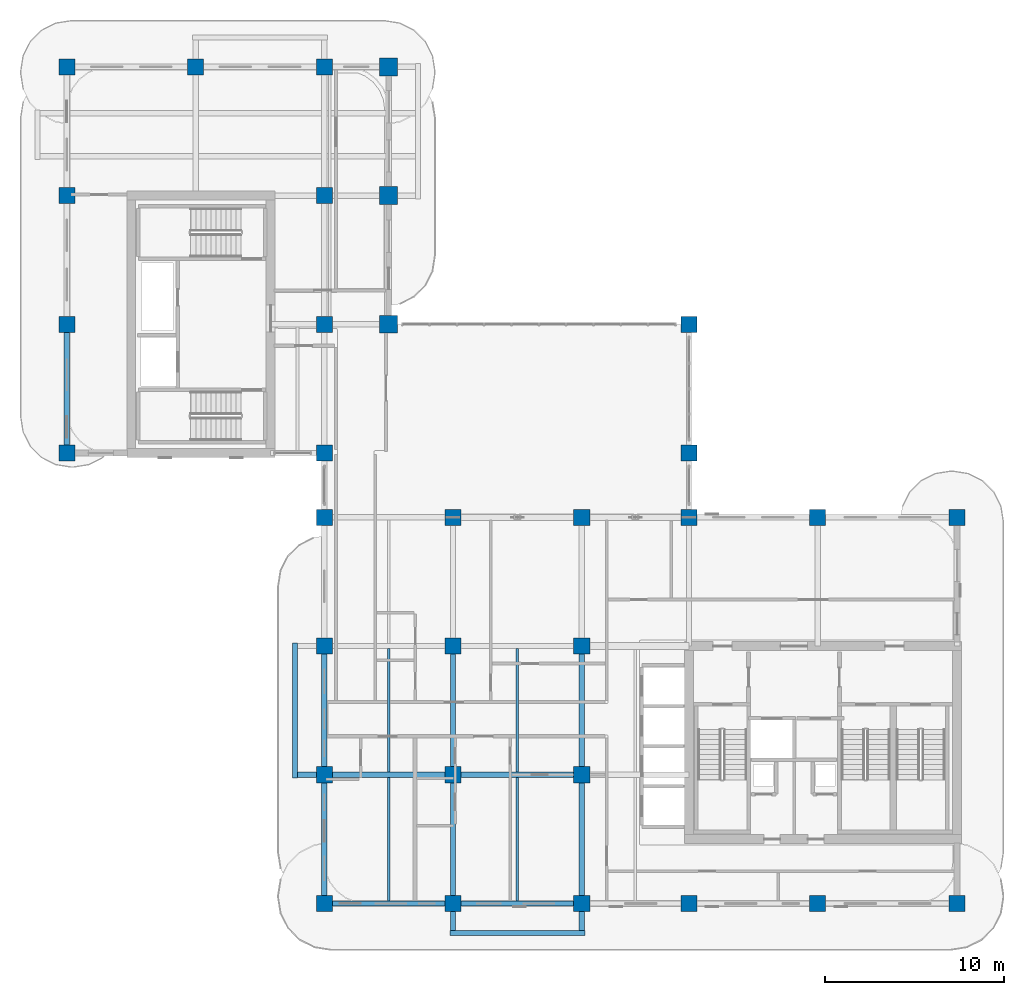
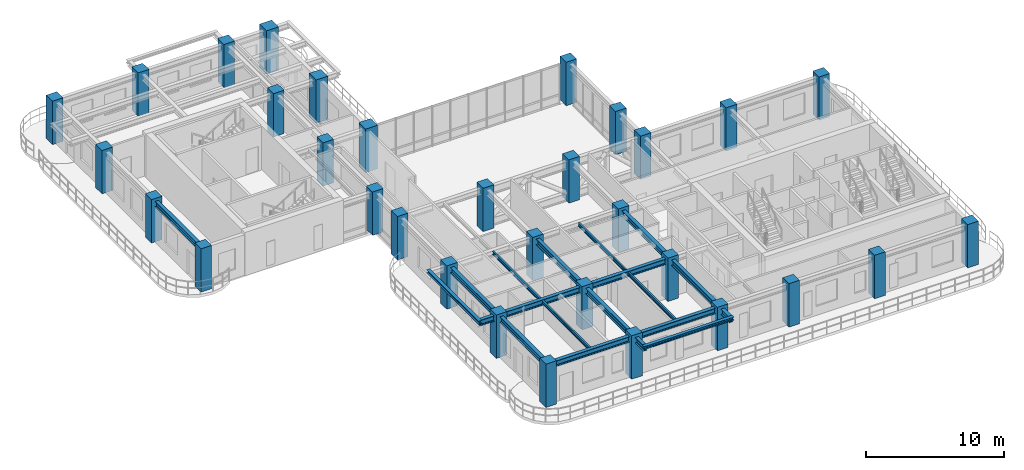
# One storey, part 1 of 19: 32 columns, 17 beams.
"""IFC4 building model written with IfcOpenShell, lengths in metres."""

from ifc_helpers import new_model, si_unit, derived_unit, direction, frame, origin, origin_2d, place, context, subcontext, project, spatial, rectangle, i_section, extrude, source, transform, mapped, material, material_profile, profile_set, type_object, type_shapes, element, save


model = new_model("IFC4")

# Units and contexts
model_context = context("Model", 3, precision=1e-05, world=origin(), true_north=direction((0.0, 1.0)))
body_context = subcontext(model_context, "Body", "Model", "MODEL_VIEW")
ifc_project = project(units=[si_unit("LENGTHUNIT", "METRE"), si_unit("AREAUNIT", "SQUARE_METRE"), si_unit("VOLUMEUNIT", "CUBIC_METRE"), si_unit("PLANEANGLEUNIT", "RADIAN"), si_unit("MASSUNIT", "GRAM", prefix="KILO"), si_unit("THERMODYNAMICTEMPERATUREUNIT", "KELVIN"), si_unit("POWERUNIT", "WATT"), derived_unit("THERMALTRANSMITTANCEUNIT", [(si_unit("POWERUNIT", "WATT"), 1), (si_unit("AREAUNIT", "SQUARE_METRE"), -1), (si_unit("THERMODYNAMICTEMPERATUREUNIT", "KELVIN"), -1)])], contexts=[model_context])

# Site, building, storey
site_placement = place(None, origin())
site = spatial("IfcSite", under=ifc_project, at=site_placement, CompositionType="ELEMENT")
building_placement = place(site_placement, origin())
building = spatial("IfcBuilding", under=site, at=building_placement, Name="Zahravan Archway Hotel and Residences", CompositionType="ELEMENT")
storey_placement = place(building_placement, frame((0.0, 0.0, 201.89990234375)))
storey = spatial("IfcBuildingStorey", under=building, at=storey_placement, Name="L50", CompositionType="ELEMENT", Elevation=201.89990234375)

# Columns
ifc_material_1 = material(Name="Concrete C60/75", Category="concrete")
ifc_material_profile_1 = material_profile(ifc_material_1, rectangle(XDim=1.0, YDim=1.0, at=origin_2d()), Name="RC-COL-1000x1000", Category="concrete")
ifc_profile_set_1 = profile_set([ifc_material_profile_1], Name="Concrete C60/75")
column_type_1 = type_object("IfcColumnType", Name="COL-RC-1000", PredefinedType="COLUMN", material=ifc_profile_set_1)
shared_shape_1 = source(origin(), body_context, "Body", "SweptSolid", [
    extrude(rectangle(XDim=1.0, YDim=1.0, at=origin_2d()), origin(), (0.0, 0.0, 1.0), 3.85009765625),
])
for number, where, z_axis, x_axis, name in (
    (1, (18.0, 32.39990234375, 0.0), (0.0, 0.0, 1.0), (1.0, 0.0, 0.0), "L50 Column 3B-F"),
    (2, (18.0, 39.60009765625, 0.0), (0.0, 0.0, 1.0), (1.0, 0.0, 0.0), "L50 Column 3B-G"),
    (3, (18.0, 46.800048828125, 0.0), (0.0, 0.0, 1.0), (1.0, 0.0, 0.0), "L50 Column 3B-H"),
):
    element("IfcColumn", number, at=place(storey_placement, frame(where, z_axis=z_axis, x_axis=x_axis)), inside=storey, type_object=column_type_1, Name=name, PredefinedType="COLUMN", context=body_context, shape_type="MappedRepresentation", body=[
        mapped(shared_shape_1, transform((0.0, 0.0, 0.0), scale=1.0)),
    ])
ifc_material_profile_2 = material_profile(ifc_material_1, rectangle(XDim=0.89990234375, YDim=0.89990234375, at=origin_2d()), Name="RC-COL-900x900", Category="concrete")
ifc_profile_set_2 = profile_set([ifc_material_profile_2], Name="Concrete C60/75")
column_type_2 = type_object("IfcColumnType", Name="COL-RC-900", PredefinedType="COLUMN", material=ifc_profile_set_2)
shared_shape_2 = source(origin(), body_context, "Body", "SweptSolid", [
    extrude(rectangle(XDim=0.89990234375, YDim=0.89990234375, at=origin_2d()), origin(), (0.0, 0.0, 1.0), 3.85009765625),
])
type_shapes(column_type_2, [shared_shape_2])
for number, where, z_axis, x_axis, name in (
    (4, (0.0, 25.199951171875, 0.0), (0.0, 0.0, 1.0), (1.0, 0.0, 0.0), "L50 Column 1-E"),
    (5, (0.0, 32.39990234375, 0.0), (0.0, 0.0, 1.0), (1.0, 0.0, 0.0), "L50 Column 1-F"),
    (6, (0.0, 39.60009765625, 0.0), (0.0, 0.0, 1.0), (1.0, 0.0, 0.0), "L50 Column 1-G"),
    (7, (0.0, 46.800048828125, 0.0), (0.0, 0.0, 1.0), (1.0, 0.0, 0.0), "L50 Column 1-H"),
    (8, (7.199951171875, 46.800048828125, 0.0), (0.0, 0.0, 1.0), (1.0, 0.0, 0.0), "L50 Column 2-H"),
    (9, (14.39990234375, 0.0, 0.0), (0.0, 0.0, 1.0), (1.0, 0.0, 0.0), "L50 Column 3-A"),
    (10, (14.39990234375, 7.199951171875, 0.0), (0.0, 0.0, 1.0), (1.0, 0.0, 0.0), "L50 Column 3-B"),
    (11, (14.39990234375, 14.39990234375, 0.0), (0.0, 0.0, 1.0), (1.0, 0.0, 0.0), "L50 Column 3-C"),
    (12, (14.39990234375, 21.60009765625, 0.0), (0.0, 0.0, 1.0), (1.0, 0.0, 0.0), "L50 Column 3-D"),
    (13, (14.39990234375, 25.199951171875, 0.0), (0.0, 0.0, 1.0), (1.0, 0.0, 0.0), "L50 Column 3-E"),
    (14, (14.39990234375, 32.39990234375, 0.0), (0.0, 0.0, 1.0), (1.0, 0.0, 0.0), "L50 Column 3-F"),
    (15, (14.39990234375, 39.60009765625, 0.0), (0.0, 0.0, 1.0), (1.0, 0.0, 0.0), "L50 Column 3-G"),
    (16, (14.39990234375, 46.800048828125, 0.0), (0.0, 0.0, 1.0), (1.0, 0.0, 0.0), "L50 Column 3-H"),
    (17, (21.60009765625, 0.0, 0.0), (0.0, 0.0, 1.0), (1.0, 0.0, 0.0), "L50 Column 4-A"),
    (18, (21.60009765625, 7.199951171875, 0.0), (0.0, 0.0, 1.0), (1.0, 0.0, 0.0), "L50 Column 4-B"),
    (19, (21.60009765625, 14.39990234375, 0.0), (0.0, 0.0, 1.0), (1.0, 0.0, 0.0), "L50 Column 4-C"),
    (20, (21.60009765625, 21.60009765625, 0.0), (0.0, 0.0, 1.0), (1.0, 0.0, 0.0), "L50 Column 4-D"),
    (21, (28.800048828125, 0.0, 0.0), (0.0, 0.0, 1.0), (1.0, 0.0, 0.0), "L50 Column 5-A"),
    (22, (28.800048828125, 7.199951171875, 0.0), (0.0, 0.0, 1.0), (1.0, 0.0, 0.0), "L50 Column 5-B"),
    (23, (28.800048828125, 14.39990234375, 0.0), (0.0, 0.0, 1.0), (1.0, 0.0, 0.0), "L50 Column 5-C"),
    (24, (28.800048828125, 21.60009765625, 0.0), (0.0, 0.0, 1.0), (1.0, 0.0, 0.0), "L50 Column 5-D"),
    (25, (34.800048828125, 0.0, 0.0), (0.0, 0.0, 1.0), (1.0, 0.0, 0.0), "L50 Column 6-A"),
    (26, (34.800048828125, 21.60009765625, 0.0), (0.0, 0.0, 1.0), (1.0, 0.0, 0.0), "L50 Column 6-D"),
    (27, (34.800048828125, 25.199951171875, 0.0), (0.0, 0.0, 1.0), (1.0, 0.0, 0.0), "L50 Column 6-E"),
    (28, (34.800048828125, 32.39990234375, 0.0), (0.0, 0.0, 1.0), (1.0, 0.0, 0.0), "L50 Column 6-F"),
    (29, (42.0, 0.0, 0.0), (0.0, 0.0, 1.0), (1.0, 0.0, 0.0), "L50 Column 7-A"),
    (30, (42.0, 21.60009765625, 0.0), (0.0, 0.0, 1.0), (1.0, 0.0, 0.0), "L50 Column 7-D"),
    (31, (49.800048828125, 0.0, 0.0), (0.0, 0.0, 1.0), (1.0, 0.0, 0.0), "L50 Column 8-A"),
    (32, (49.800048828125, 21.60009765625, 0.0), (0.0, 0.0, 1.0), (1.0, 0.0, 0.0), "L50 Column 8-D"),
):
    element("IfcColumn", number, at=place(storey_placement, frame(where, z_axis=z_axis, x_axis=x_axis)), inside=storey, type_object=column_type_2, Name=name, PredefinedType="COLUMN", context=body_context, shape_type="MappedRepresentation", body=[
        mapped(shared_shape_2, transform((0.0, 0.0, 0.0), scale=1.0)),
    ])

# Beams
ifc_material_2 = material(Name="Structural Steel S355JR", Category="steel")
ifc_material_profile_3 = material_profile(ifc_material_2, i_section(OverallWidth=0.280029296875, OverallDepth=0.280029296875, WebThickness=0.010498046875, FlangeThickness=0.01806640625, FilletRadius=0.02392578125, at=origin_2d()), Name="HEB 280", Category="steel")
ifc_profile_set_3 = profile_set([ifc_material_profile_3], Name="Structural Steel S355JR")
beam_type_1 = type_object("IfcBeamType", Name="BM-SPN-HEB280", PredefinedType="SPANDREL", material=ifc_profile_set_3)
shared_shape_3 = source(origin(), body_context, "Body", "SweptSolid", [
    extrude(i_section(OverallWidth=0.280029296875, OverallDepth=0.280029296875, WebThickness=0.010498046875, FlangeThickness=0.01806640625, FilletRadius=0.02392578125, at=origin_2d()), origin(), (0.0, 0.0, 1.0), 7.56005859375),
])
type_shapes(beam_type_1, [shared_shape_3])
for number, where, z_axis, x_axis, name in (
    (33, (12.75, 7.02001953125, 3.460205078125), (0.0, 1.0, 0.0), (-1.0, 0.0, 0.0), "L51 WA Balcony Edge Spandrel"),
    (34, (21.419921875, -1.64990234375, 3.460205078125), (1.0, 0.0, 0.0), (0.0, 1.0, 0.0), "L51 SA Balcony Edge Spandrel"),
):
    element("IfcBeam", number, at=place(storey_placement, frame(where, z_axis=z_axis, x_axis=x_axis)), inside=storey, type_object=beam_type_1, Name=name, PredefinedType="SPANDREL", context=body_context, shape_type="MappedRepresentation", body=[
        mapped(shared_shape_3, transform((0.0, 0.0, 0.0), scale=1.0)),
    ])
ifc_material_profile_4 = material_profile(ifc_material_2, i_section(OverallWidth=0.300048828125, OverallDepth=0.5, WebThickness=0.014404296875, FlangeThickness=0.028076171875, FilletRadius=0.027099609375, at=origin_2d()), Name="HEB 500", Category="steel")
ifc_profile_set_4 = profile_set([ifc_material_profile_4], Name="Structural Steel S355JR")
beam_type_2 = type_object("IfcBeamType", Name="BM-PRI-HEB500", PredefinedType="BEAM", material=ifc_profile_set_4)
shared_shape_4 = source(origin(), body_context, "Body", "SweptSolid", [
    extrude(i_section(OverallWidth=0.300048828125, OverallDepth=0.5, WebThickness=0.014404296875, FlangeThickness=0.028076171875, FilletRadius=0.027099609375, at=origin_2d()), origin(), (0.0, 0.0, 1.0), 7.2001953125),
])
type_shapes(beam_type_2, [shared_shape_4])
beam_1_placement = place(storey_placement, frame((14.39990234375, 0.0, 3.35009765625), z_axis=(1.0, 0.0, 0.0), x_axis=(0.0, 1.0, 0.0)))
element("IfcBeam", 35, at=beam_1_placement, inside=storey, type_object=beam_type_2, Name="L50 Primary Girder EW-01", PredefinedType="BEAM", context=body_context, shape_type="MappedRepresentation", body=[
    mapped(shared_shape_4, transform((0.0, 0.0, 0.0), scale=1.0)),
])
shared_shape_5 = source(origin(), body_context, "Body", "SweptSolid", [
    extrude(i_section(OverallWidth=0.300048828125, OverallDepth=0.5, WebThickness=0.014404296875, FlangeThickness=0.028076171875, FilletRadius=0.027099609375, at=origin_2d()), origin(), (0.0, 0.0, 1.0), 7.199951171875),
])
for number, where, z_axis, x_axis, name in (
    (36, (21.60009765625, 0.0, 3.35009765625), (1.0, 0.0, 0.0), (0.0, 1.0, 0.0), "L50 Primary Girder EW-02"),
    (37, (21.60009765625, 7.199951171875, 3.35009765625), (1.0, 0.0, 0.0), (0.0, 1.0, 0.0), "L50 Primary Girder EW-07"),
    (38, (0.0, 25.199951171875, 3.35009765625), (0.0, 1.0, 0.0), (-1.0, 0.0, 0.0), "L50 Primary Girder NS-21"),
    (39, (14.39990234375, 0.0, 3.35009765625), (0.0, 1.0, 0.0), (-1.0, 0.0, 0.0), "L50 Primary Girder NS-25"),
    (40, (14.39990234375, 7.199951171875, 3.35009765625), (0.0, 1.0, 0.0), (-1.0, 0.0, 0.0), "L50 Primary Girder NS-26"),
    (41, (21.60009765625, 7.199951171875, 3.35009765625), (0.0, 1.0, 0.0), (-1.0, 0.0, 0.0), "L50 Primary Girder NS-33"),
    (42, (28.800048828125, 7.199951171875, 3.35009765625), (0.0, 1.0, 0.0), (-1.0, 0.0, 0.0), "L50 Primary Girder NS-36"),
):
    element("IfcBeam", number, at=place(storey_placement, frame(where, z_axis=z_axis, x_axis=x_axis)), inside=storey, type_object=beam_type_2, Name=name, PredefinedType="BEAM", context=body_context, shape_type="MappedRepresentation", body=[
        mapped(shared_shape_5, transform((0.0, 0.0, 0.0), scale=1.0)),
    ])
shared_shape_6 = source(origin(), body_context, "Body", "SweptSolid", [
    extrude(i_section(OverallWidth=0.300048828125, OverallDepth=0.5, WebThickness=0.014404296875, FlangeThickness=0.028076171875, FilletRadius=0.027099609375, at=origin_2d()), origin(), (0.0, 0.0, 1.0), 8.85009765625),
])
beam_2_placement = place(storey_placement, frame((12.75, 7.199951171875, 3.35009765625), z_axis=(1.0, 0.0, 0.0), x_axis=(0.0, 1.0, 0.0)))
element("IfcBeam", 43, at=beam_2_placement, inside=storey, type_object=beam_type_2, Name="L50 Primary Girder EW-06", PredefinedType="BEAM", context=body_context, shape_type="MappedRepresentation", body=[
    mapped(shared_shape_6, transform((0.0, 0.0, 0.0), scale=1.0)),
])
shared_shape_7 = source(origin(), body_context, "Body", "SweptSolid", [
    extrude(i_section(OverallWidth=0.300048828125, OverallDepth=0.5, WebThickness=0.014404296875, FlangeThickness=0.028076171875, FilletRadius=0.027099609375, at=origin_2d()), origin(), (0.0, 0.0, 1.0), 8.849853515625),
])
for number, where, z_axis, x_axis, name in (
    (44, (21.60009765625, -1.64990234375, 3.35009765625), (0.0, 1.0, 0.0), (-1.0, 0.0, 0.0), "L50 Primary Girder NS-32"),
    (45, (28.800048828125, -1.64990234375, 3.35009765625), (0.0, 1.0, 0.0), (-1.0, 0.0, 0.0), "L50 Primary Girder NS-35"),
):
    element("IfcBeam", number, at=place(storey_placement, frame(where, z_axis=z_axis, x_axis=x_axis)), inside=storey, type_object=beam_type_2, Name=name, PredefinedType="BEAM", context=body_context, shape_type="MappedRepresentation", body=[
        mapped(shared_shape_7, transform((0.0, 0.0, 0.0), scale=1.0)),
    ])
ifc_material_profile_5 = material_profile(ifc_material_2, i_section(OverallWidth=0.14990234375, OverallDepth=0.300048828125, WebThickness=0.007080078125, FlangeThickness=0.0107421875, FilletRadius=0.014892578125, at=origin_2d()), Name="IPE 300", Category="steel")
ifc_profile_set_5 = profile_set([ifc_material_profile_5], Name="Structural Steel S355JR")
beam_type_3 = type_object("IfcBeamType", Name="BM-JST-IPE300", PredefinedType="JOIST", material=ifc_profile_set_5)
shared_shape_8 = source(origin(), body_context, "Body", "SweptSolid", [
    extrude(i_section(OverallWidth=0.14990234375, OverallDepth=0.300048828125, WebThickness=0.007080078125, FlangeThickness=0.0107421875, FilletRadius=0.014892578125, at=origin_2d()), origin(), (0.0, 0.0, 1.0), 6.904052734375),
])
type_shapes(beam_type_3, [shared_shape_8])
for number, where, z_axis, x_axis, name in (
    (46, (18.0, 0.14794921875, 3.4501953125), (0.0, 1.0, 0.0), (-1.0, 0.0, 0.0), "L50 Composite Floor Joist 01"),
    (47, (25.199951171875, 0.14794921875, 3.4501953125), (0.0, 1.0, 0.0), (-1.0, 0.0, 0.0), "L50 Composite Floor Joist 02"),
    (48, (18.0, 7.347900390625, 3.4501953125), (0.0, 1.0, 0.0), (-1.0, 0.0, 0.0), "L50 Composite Floor Joist 04"),
    (49, (25.199951171875, 7.347900390625, 3.4501953125), (0.0, 1.0, 0.0), (-1.0, 0.0, 0.0), "L50 Composite Floor Joist 05"),
):
    element("IfcBeam", number, at=place(storey_placement, frame(where, z_axis=z_axis, x_axis=x_axis)), inside=storey, type_object=beam_type_3, Name=name, PredefinedType="JOIST", context=body_context, shape_type="MappedRepresentation", body=[
        mapped(shared_shape_8, transform((0.0, 0.0, 0.0), scale=1.0)),
    ])

save(model, "model.ifc")
